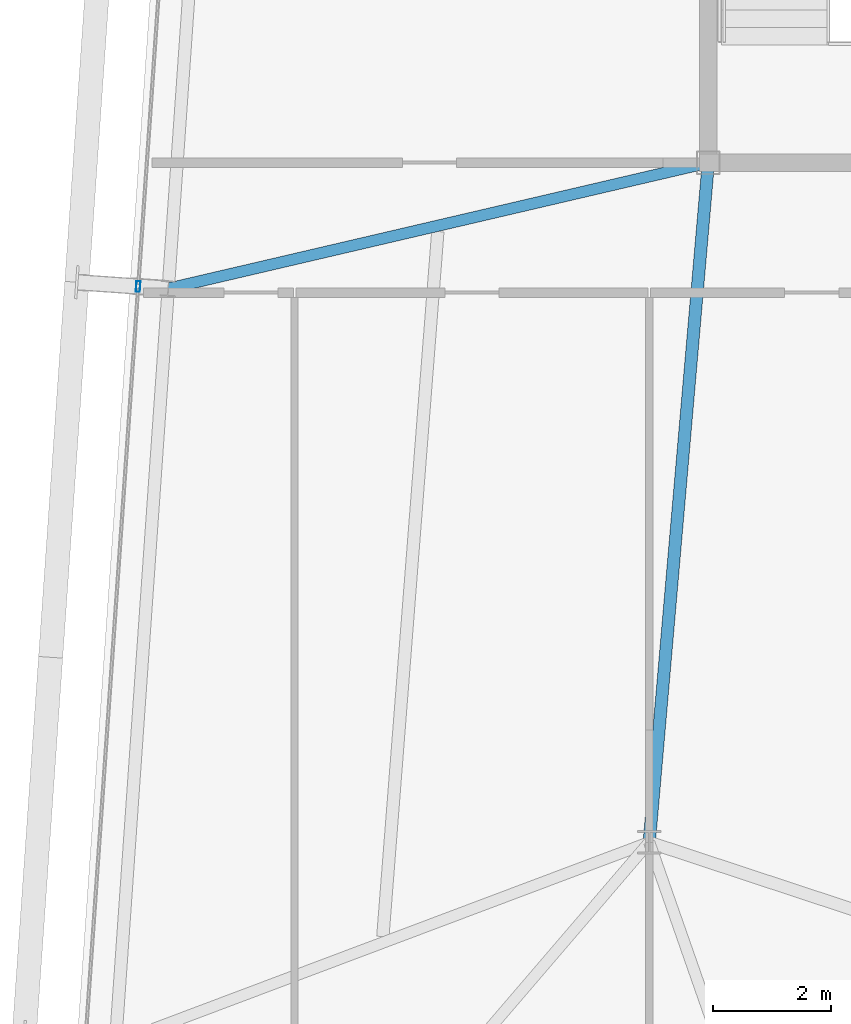
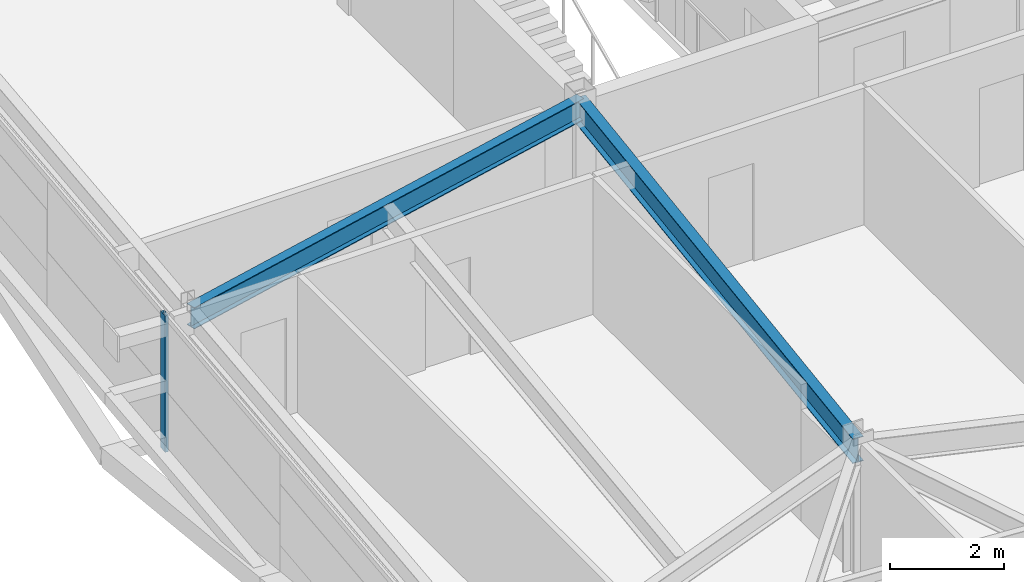
# One storey, part 11 of 39: 2 beams, 1 member, 1 element without a shape of its own.
"""IFC4 building model written with IfcOpenShell, lengths in metres."""

from ifc_helpers import new_model, si_unit, direction, frame, origin, origin_2d, place, context, subcontext, project, spatial, hollow_rectangle, i_section, extrude, source, transform, mapped, material, layer, layer_set, material_profile, profile_set, type_object, element, aggregate, save


model = new_model("IFC4")

# Units and contexts
model_context = context("Model", 3, precision=1e-05, world=origin(), true_north=direction((0.0, 1.0)))
body_context = subcontext(model_context, "Body", "Model", "MODEL_VIEW")
ifc_project = project(units=[si_unit("LENGTHUNIT", "METRE"), si_unit("AREAUNIT", "SQUARE_METRE"), si_unit("VOLUMEUNIT", "CUBIC_METRE"), si_unit("PLANEANGLEUNIT", "RADIAN"), si_unit("MASSUNIT", "GRAM", prefix="KILO")], contexts=[model_context])

# Site, building, storey
site_placement = place(None, origin())
site = spatial("IfcSite", under=ifc_project, at=site_placement, CompositionType="ELEMENT")
building_placement = place(site_placement, origin())
building = spatial("IfcBuilding", under=site, at=building_placement, Name="Taldren Reach Tower", CompositionType="ELEMENT")
storey_placement = place(building_placement, frame((0.0, 0.0, 123.550048828125)))
storey = spatial("IfcBuildingStorey", under=building, at=storey_placement, Name="L37", CompositionType="ELEMENT", Elevation=123.550048828125)

# Beams
ifc_material_1 = material(Name="Steel Gr 350 (350PLUS)", Category="steel")
ifc_material_profile_1 = material_profile(ifc_material_1, i_section(OverallWidth=0.208984375, OverallDepth=0.532958984375, WebThickness=0.01025390625, FlangeThickness=0.015625, at=origin_2d()), Name="530UB92.4")
ifc_profile_set_1 = profile_set([ifc_material_profile_1], Name="Steel Gr 350 (350PLUS)")
beam_type_1 = type_object("IfcBeamType", Name="BM-UB530A", PredefinedType="BEAM", material=ifc_profile_set_1)
shared_shape_1 = source(origin(), body_context, "Body", "SweptSolid", [
    extrude(i_section(OverallWidth=0.208984375, OverallDepth=0.532958984375, WebThickness=0.01025390625, FlangeThickness=0.015625, at=origin_2d()), origin(), (0.0, 0.0, 1.0), 11.54345703125),
])
beam_1_placement = place(storey_placement, frame((19.0, 24.0, 2.663330078125), z_axis=(-0.086629616365, -0.996240588196, 0.0), x_axis=(0.996240588196, -0.086629616365, 0.0)))
element("IfcBeam", 1, at=beam_1_placement, inside=storey, type_object=beam_type_1, Name="Core-spine girder L37-SP09", PredefinedType="BEAM", context=body_context, shape_type="MappedRepresentation", body=[
    mapped(shared_shape_1, transform((0.0, 0.0, 0.0), scale=1.0)),
])
ifc_material_profile_2 = material_profile(ifc_material_1, i_section(OverallWidth=0.19091796875, OverallDepth=0.4599609375, WebThickness=0.010009765625, FlangeThickness=0.01611328125, at=origin_2d()), Name="460UB82.1")
ifc_profile_set_2 = profile_set([ifc_material_profile_2], Name="Steel Gr 350 (350PLUS)")
beam_type_2 = type_object("IfcBeamType", Name="BM-UB460A", PredefinedType="BEAM", material=ifc_profile_set_2)
shared_shape_2 = source(origin(), body_context, "Body", "SweptSolid", [
    extrude(i_section(OverallWidth=0.19091796875, OverallDepth=0.4599609375, WebThickness=0.010009765625, FlangeThickness=0.01611328125, at=origin_2d()), origin(), (0.0, 0.0, 1.0), 9.383544921875),
])
beam_2_placement = place(storey_placement, frame((19.0, 24.0, 2.699951171875), z_axis=(-0.973856560651, -0.227163815951, 0.0), x_axis=(0.227163815951, -0.973856560651, 0.0)))
element("IfcBeam", 2, at=beam_2_placement, inside=storey, type_object=beam_type_2, Name="Primary floor girder B3-W2 L37", PredefinedType="BEAM", context=body_context, shape_type="MappedRepresentation", body=[
    mapped(shared_shape_2, transform((0.0, 0.0, 0.0), scale=1.0)),
])

# Curtain wall, member
ifc_material_2 = material(Name="Aluminium and Low-E Glass Unitised System", Category="aluminium")
ifc_layer = layer(ifc_material_2, 0.159912109375)
ifc_layer_set = layer_set([ifc_layer], Name="Aluminium and Low-E Glass Unitised System")
curtain_wall_type = type_object("IfcCurtainWallType", Name="CW-SYS-4", PredefinedType="NOTDEFINED", material=ifc_layer_set)
curtain_wall_placement = place(storey_placement, origin())
curtain_wall = element("IfcCurtainWall", 3, at=curtain_wall_placement, inside=storey, type_object=curtain_wall_type, Name="Unitised curtain wall CW-L37-W", PredefinedType="NOTDEFINED")
ifc_material_3 = material(Name="Anodised Aluminium 6063-T6", Category="aluminium")
ifc_material_profile_3 = material_profile(ifc_material_3, hollow_rectangle(XDim=0.070068359375, YDim=0.179931640625, WallThickness=0.00390625, at=origin_2d()), Name="ALU-180x70x4RHS")
ifc_profile_set_3 = profile_set([ifc_material_profile_3], Name="Anodised Aluminium 6063-T6")
member_type = type_object("IfcMemberType", Name="CW-MUL-180", PredefinedType="MULLION", material=ifc_profile_set_3)
shared_shape_3 = source(origin(), body_context, "Body", "SweptSolid", [
    extrude(hollow_rectangle(XDim=0.070068359375, YDim=0.179931640625, WallThickness=0.00390625, at=origin_2d()), origin(), (0.0, 0.0, 1.0), 2.929931640625),
])
member_placement = place(storey_placement, frame((9.35302734375, 21.90380859375, 0.0), z_axis=(0.0, 0.0, 1.0), x_axis=(0.997564052812, -0.069756437251, 0.0)))
member = element("IfcMember", 4, at=member_placement, type_object=member_type, Name="CW-4 mullion 2", PredefinedType="MULLION", context=body_context, shape_type="MappedRepresentation", body=[
    mapped(shared_shape_3, transform((0.0, 0.0, 0.0), scale=1.0)),
])
aggregate(curtain_wall, [member])

save(model, "model.ifc")
